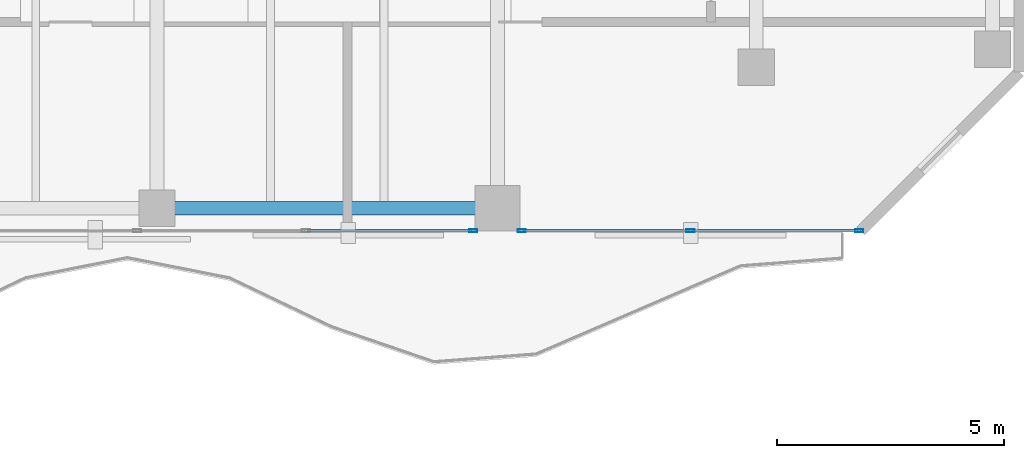
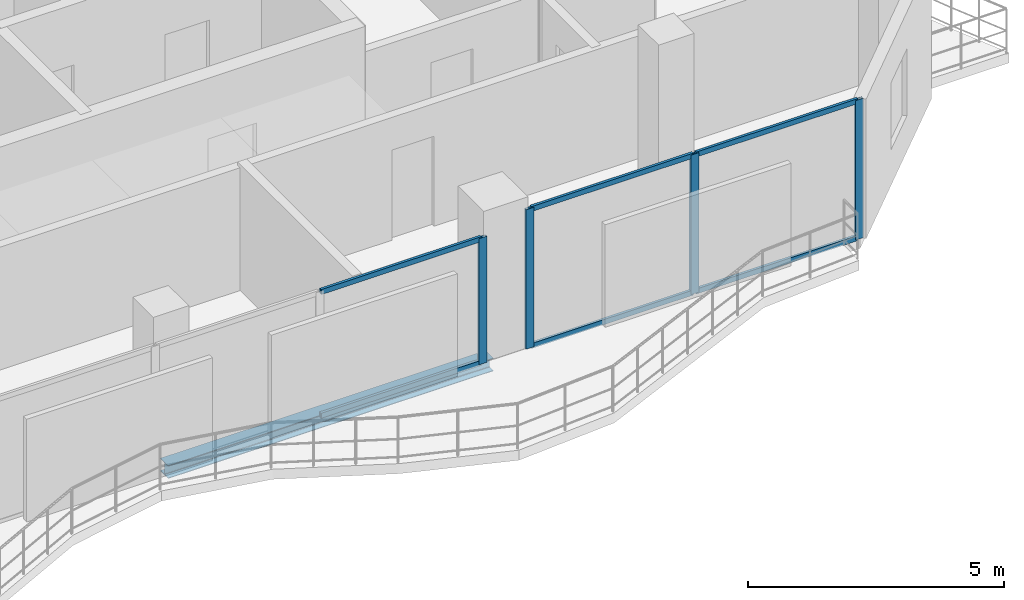
# One storey, part 12 of 23: 10 members, 1 beam, 2 elements without a shape of their own.
"""IFC4 building model written with IfcOpenShell, lengths in metres."""

from ifc_helpers import new_model, si_unit, direction, frame, origin, origin_2d, place, context, subcontext, project, spatial, hollow_rectangle, i_section, extrude, material, layer, layer_set, material_profile, profile_set, type_object, element, aggregate, save


model = new_model("IFC4")

# Units and contexts
model_context = context("Model", 3, precision=1e-05, world=origin(), true_north=direction((0.0, 1.0)))
body_context = subcontext(model_context, "Body", "Model", "MODEL_VIEW")
ifc_project = project(units=[si_unit("LENGTHUNIT", "METRE"), si_unit("AREAUNIT", "SQUARE_METRE"), si_unit("VOLUMEUNIT", "CUBIC_METRE"), si_unit("PLANEANGLEUNIT", "RADIAN"), si_unit("MASSUNIT", "GRAM", prefix="KILO")], contexts=[model_context])

# Site, building, storey
site_placement = place(None, origin())
site = spatial("IfcSite", under=ifc_project, at=site_placement, CompositionType="ELEMENT")
building_placement = place(site_placement, origin())
building = spatial("IfcBuilding", under=site, at=building_placement, Name="Catumbela Crestline Tower", CompositionType="ELEMENT")
storey_placement = place(building_placement, frame((0.0, 0.0, 165.0)))
storey = spatial("IfcBuildingStorey", under=building, at=storey_placement, Name="L42", CompositionType="ELEMENT", Elevation=165.0)

# Curtain wall, member
ifc_material_1 = material(Name="Aluminium alloy AW-6060-T66", Category="aluminium")
ifc_layer = layer(ifc_material_1, 0.18, Name="Aluminium alloy AW-6060-T66")
ifc_layer_set = layer_set([ifc_layer], Name="Aluminium alloy AW-6060-T66")
curtain_wall_type = type_object("IfcCurtainWallType", Name="CWU-Z3", PredefinedType="USERDEFINED", material=ifc_layer_set)
curtain_wall_1_placement = place(storey_placement, origin())
curtain_wall_1 = element("IfcCurtainWall", 1, at=curtain_wall_1_placement, inside=storey, type_object=curtain_wall_type, Name="L42 Unitised Curtain Wall CW-L42-E3S2", ObjectType="UNITISED", PredefinedType="USERDEFINED")
ifc_material_profile_1 = material_profile(ifc_material_1, hollow_rectangle(XDim=0.065, YDim=0.18, WallThickness=0.004, at=origin_2d()), Name="ALU 180x65x4")
ifc_profile_set_1 = profile_set([ifc_material_profile_1], Name="Aluminium alloy AW-6060-T66")
member_type_1 = type_object("IfcMemberType", Name="MUL-180X65", PredefinedType="MULLION", material=ifc_profile_set_1)
member_1_placement = place(storey_placement, frame((38.9675, 24.0, 0.0), z_axis=(0.0, 0.0, 1.0), x_axis=(0.0, 1.0, 0.0)))
member_1 = element("IfcMember", 2, at=member_1_placement, type_object=member_type_1, Name="CWU-Z3 mullion 4", PredefinedType="MULLION", context=body_context, shape_type="SweptSolid", body=[
    extrude(hollow_rectangle(XDim=0.065, YDim=0.18, WallThickness=0.004, at=origin_2d()), origin(), (0.0, 0.0, 1.0), 3.01),
])

# Curtain wall, members
curtain_wall_2_placement = place(storey_placement, origin())
curtain_wall_2 = element("IfcCurtainWall", 3, at=curtain_wall_2_placement, inside=storey, type_object=curtain_wall_type, Name="L42 Unitised Curtain Wall CW-L42-E3S3", ObjectType="UNITISED", PredefinedType="USERDEFINED")
member_2_placement = place(storey_placement, frame((40.0325, 24.0, 0.0), z_axis=(0.0, 0.0, 1.0), x_axis=(0.0, 1.0, 0.0)))
member_2 = element("IfcMember", 4, at=member_2_placement, type_object=member_type_1, Name="CWU-Z3 mullion 1", PredefinedType="MULLION", context=body_context, shape_type="SweptSolid", body=[
    extrude(hollow_rectangle(XDim=0.065, YDim=0.18, WallThickness=0.004, at=origin_2d()), origin(), (0.0, 0.0, 1.0), 3.33),
])
member_3_placement = place(storey_placement, frame((43.75, 24.0, 0.0), z_axis=(0.0, 0.0, 1.0), x_axis=(0.0, 1.0, 0.0)))
member_3 = element("IfcMember", 5, at=member_3_placement, type_object=member_type_1, Name="CWU-Z3 mullion 2", PredefinedType="MULLION", context=body_context, shape_type="SweptSolid", body=[
    extrude(hollow_rectangle(XDim=0.065, YDim=0.18, WallThickness=0.004, at=origin_2d()), origin(), (0.0, 0.0, 1.0), 3.33),
])
member_4_placement = place(storey_placement, frame((47.4675, 24.0, 0.0), z_axis=(0.0, 0.0, 1.0), x_axis=(0.0, 1.0, 0.0)))
member_4 = element("IfcMember", 6, at=member_4_placement, type_object=member_type_1, Name="CWU-Z3 mullion 3", PredefinedType="MULLION", context=body_context, shape_type="SweptSolid", body=[
    extrude(hollow_rectangle(XDim=0.065, YDim=0.18, WallThickness=0.004, at=origin_2d()), origin(), (0.0, 0.0, 1.0), 3.33),
])

# Beam
ifc_material_2 = material(Name="Structural steel S355J2", Category="steel")
ifc_material_profile_2 = material_profile(ifc_material_2, i_section(OverallWidth=0.3, OverallDepth=0.31, WebThickness=0.009, FlangeThickness=0.0155, FilletRadius=0.027, at=origin_2d()), Name="HEA 320")
ifc_profile_set_2 = profile_set([ifc_material_profile_2], Name="Structural steel S355J2")
beam_type = type_object("IfcBeamType", Name="BS-HEA320", PredefinedType="SPANDREL", material=ifc_profile_set_2)
beam_placement = place(storey_placement, frame((32.08, 24.5, -0.415), z_axis=(1.0, 0.0, 0.0), x_axis=(0.0, 1.0, 0.0)))
element("IfcBeam", 7, at=beam_placement, inside=storey, type_object=beam_type, Name="L42 Spandrel SP-L42-S05", PredefinedType="SPANDREL", context=body_context, shape_type="SweptSolid", body=[
    extrude(i_section(OverallWidth=0.3, OverallDepth=0.31, WebThickness=0.009, FlangeThickness=0.0155, FilletRadius=0.027, at=origin_2d()), origin(), (0.0, 0.0, 1.0), 7.34),
])

# Member
ifc_material_profile_3 = material_profile(ifc_material_1, hollow_rectangle(XDim=0.06, YDim=0.12, WallThickness=0.0035, at=origin_2d()), Name="ALU 120x60x3.5")
ifc_profile_set_3 = profile_set([ifc_material_profile_3], Name="Aluminium alloy AW-6060-T66")
member_type_2 = type_object("IfcMemberType", Name="TRN-120X60", PredefinedType="USERDEFINED", material=ifc_profile_set_3)
member_5_placement = place(storey_placement, frame((35.3158, 24.0, 0.03), z_axis=(1.0, 0.0, 0.0), x_axis=(0.0, 1.0, 0.0)))
member_5 = element("IfcMember", 8, at=member_5_placement, type_object=member_type_2, Name="CWU-Z3 transom 3.1", ObjectType="TRANSOM", PredefinedType="USERDEFINED", context=body_context, shape_type="SweptSolid", body=[
    extrude(hollow_rectangle(XDim=0.06, YDim=0.12, WallThickness=0.0035, at=origin_2d()), origin(), (0.0, 0.0, 1.0), 3.6192),
])

member_6_placement = place(storey_placement, frame((35.3158, 24.0, 2.98), z_axis=(1.0, 0.0, 0.0), x_axis=(0.0, 1.0, 0.0)))
member_6 = element("IfcMember", 9, at=member_6_placement, type_object=member_type_2, Name="CWU-Z3 transom 3.2", ObjectType="TRANSOM", PredefinedType="USERDEFINED", context=body_context, shape_type="SweptSolid", body=[
    extrude(hollow_rectangle(XDim=0.06, YDim=0.12, WallThickness=0.0035, at=origin_2d()), origin(), (0.0, 0.0, 1.0), 3.6192),
])

aggregate(curtain_wall_1, [member_1, member_5, member_6])

member_7_placement = place(storey_placement, frame((40.065, 24.0, 0.03), z_axis=(1.0, 0.0, 0.0), x_axis=(0.0, 1.0, 0.0)))
member_7 = element("IfcMember", 10, at=member_7_placement, type_object=member_type_2, Name="CWU-Z3 transom 1.1", ObjectType="TRANSOM", PredefinedType="USERDEFINED", context=body_context, shape_type="SweptSolid", body=[
    extrude(hollow_rectangle(XDim=0.06, YDim=0.12, WallThickness=0.0035, at=origin_2d()), origin(), (0.0, 0.0, 1.0), 3.6525),
])

member_8_placement = place(storey_placement, frame((40.065, 24.0, 3.3), z_axis=(1.0, 0.0, 0.0), x_axis=(0.0, 1.0, 0.0)))
member_8 = element("IfcMember", 11, at=member_8_placement, type_object=member_type_2, Name="CWU-Z3 transom 1.2", ObjectType="TRANSOM", PredefinedType="USERDEFINED", context=body_context, shape_type="SweptSolid", body=[
    extrude(hollow_rectangle(XDim=0.06, YDim=0.12, WallThickness=0.0035, at=origin_2d()), origin(), (0.0, 0.0, 1.0), 3.6525),
])

member_9_placement = place(storey_placement, frame((43.7825, 24.0, 0.03), z_axis=(1.0, 0.0, 0.0), x_axis=(0.0, 1.0, 0.0)))
member_9 = element("IfcMember", 12, at=member_9_placement, type_object=member_type_2, Name="CWU-Z3 transom 2.1", ObjectType="TRANSOM", PredefinedType="USERDEFINED", context=body_context, shape_type="SweptSolid", body=[
    extrude(hollow_rectangle(XDim=0.06, YDim=0.12, WallThickness=0.0035, at=origin_2d()), origin(), (0.0, 0.0, 1.0), 3.6525),
])

member_10_placement = place(storey_placement, frame((43.7825, 24.0, 3.3), z_axis=(1.0, 0.0, 0.0), x_axis=(0.0, 1.0, 0.0)))
member_10 = element("IfcMember", 13, at=member_10_placement, type_object=member_type_2, Name="CWU-Z3 transom 2.2", ObjectType="TRANSOM", PredefinedType="USERDEFINED", context=body_context, shape_type="SweptSolid", body=[
    extrude(hollow_rectangle(XDim=0.06, YDim=0.12, WallThickness=0.0035, at=origin_2d()), origin(), (0.0, 0.0, 1.0), 3.6525),
])

aggregate(curtain_wall_2, [member_2, member_3, member_4, member_7, member_8, member_9, member_10])

save(model, "model.ifc")
